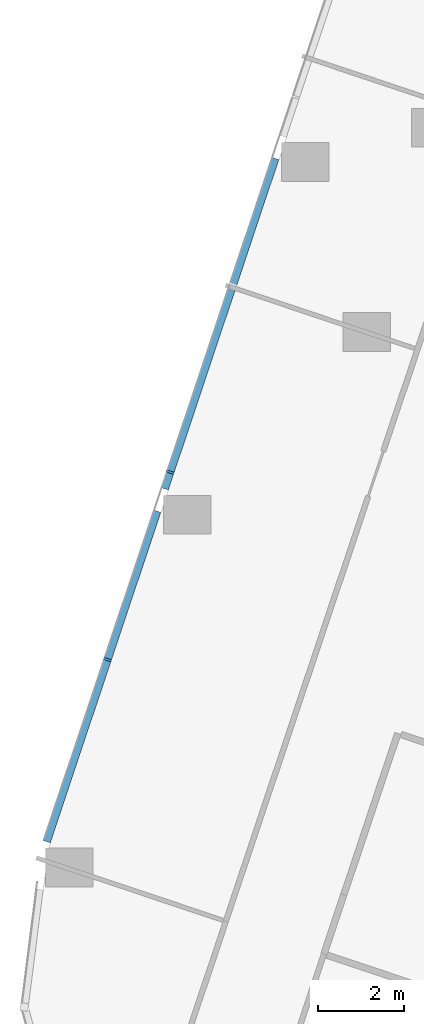
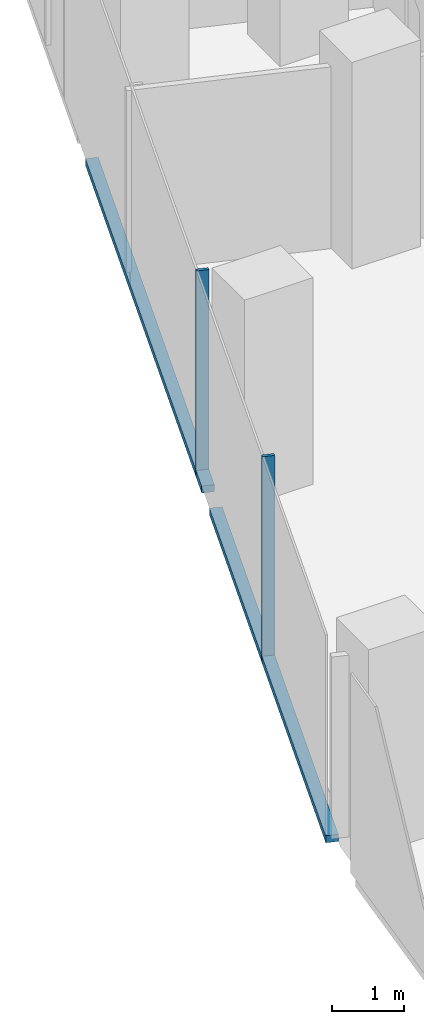
# One storey, part 4 of 32: 4 members, 1 element without a shape of its own.
"""IFC4 building model written with IfcOpenShell, lengths in metres."""

from ifc_helpers import new_model, si_unit, direction, frame, origin, origin_2d, place, context, subcontext, project, spatial, rectangle, extrude, material, material_profile, profile_set, type_object, element, aggregate, save


model = new_model("IFC4")

# Units and contexts
model_context = context("Model", 3, precision=1e-05, world=origin(), true_north=direction((0.0, 1.0)))
body_context = subcontext(model_context, "Body", "Model", "MODEL_VIEW")
ifc_project = project(units=[si_unit("LENGTHUNIT", "METRE"), si_unit("AREAUNIT", "SQUARE_METRE"), si_unit("VOLUMEUNIT", "CUBIC_METRE"), si_unit("PLANEANGLEUNIT", "RADIAN"), si_unit("MASSUNIT", "GRAM", prefix="KILO")], contexts=[model_context])

# Site, building, storey
site_placement = place(None, origin())
site = spatial("IfcSite", under=ifc_project, at=site_placement, CompositionType="ELEMENT")
building_placement = place(site_placement, origin())
building = spatial("IfcBuilding", under=site, at=building_placement, Name="Orlundy Tower", CompositionType="ELEMENT")
storey_placement = place(building_placement, frame((0.0, 0.0, 149.10009765625)))
storey = spatial("IfcBuildingStorey", under=building, at=storey_placement, Name="L38", CompositionType="ELEMENT", Elevation=149.10009765625)

# Curtain wall, members
ifc_material_1 = material(Name="Aluminium bronze anodised", Category="aluminium")
curtain_wall_type = type_object("IfcCurtainWallType", Name="CW1 wall", PredefinedType="NOTDEFINED", material=ifc_material_1)
curtain_wall_placement = place(storey_placement, origin())
curtain_wall = element("IfcCurtainWall", 1, at=curtain_wall_placement, inside=storey, type_object=curtain_wall_type, Name="CW1 run 012", PredefinedType="NOTDEFINED")
ifc_material_2 = material(Name="Aluminium bronze anodised", Category="aluminium")
ifc_material_profile_1 = material_profile(ifc_material_2, rectangle(XDim=0.179931640625, YDim=0.050048828125, at=origin_2d()), Name="CW1 mullion 50x180")
ifc_profile_set_1 = profile_set([ifc_material_profile_1], Name="Aluminium bronze anodised")
member_type_1 = type_object("IfcMemberType", Name="CW1 mullion 50x180", PredefinedType="MULLION", material=ifc_profile_set_1)
member_1_placement = place(storey_placement, frame((-33.46142578125, -36.689697265625, -0.400146484375), z_axis=(0.0, 0.0, 1.0), x_axis=(-0.948326756752, 0.317295386712, 0.0)))
member_1 = element("IfcMember", 2, at=member_1_placement, type_object=member_type_1, Name="CW1 mullion 27", PredefinedType="MULLION", context=body_context, shape_type="SweptSolid", body=[
    extrude(rectangle(XDim=0.179931640625, YDim=0.050048828125, at=origin_2d()), origin(), (0.0, 0.0, 1.0), 3.5),
])
member_2_placement = place(storey_placement, frame((-32.00537109375, -32.338134765625, -0.400146484375), z_axis=(0.0, 0.0, 1.0), x_axis=(-0.948326756752, 0.317295386712, 0.0)))
member_2 = element("IfcMember", 3, at=member_2_placement, type_object=member_type_1, Name="CW1 mullion 28", PredefinedType="MULLION", context=body_context, shape_type="SweptSolid", body=[
    extrude(rectangle(XDim=0.179931640625, YDim=0.050048828125, at=origin_2d()), origin(), (0.0, 0.0, 1.0), 3.5),
])
ifc_material_3 = material(Name="Aluminium bronze anodised", Category="aluminium")
ifc_material_profile_2 = material_profile(ifc_material_3, rectangle(XDim=0.179931640625, YDim=0.1201171875, at=origin_2d()), Name="CW1 transom 180x120")
ifc_profile_set_2 = profile_set([ifc_material_profile_2], Name="Aluminium bronze anodised")
member_type_2 = type_object("IfcMemberType", Name="CW1 transom 180x120", PredefinedType="USERDEFINED", material=ifc_profile_set_2)
member_3_placement = place(storey_placement, frame((-34.875, -40.9150390625, -0.340087890625), z_axis=(0.317277721092, 0.94833266721, 0.0), x_axis=(-0.94833266721, 0.317277721092, 0.0)))
member_3 = element("IfcMember", 4, at=member_3_placement, type_object=member_type_2, Name="CW1 transom", ObjectType="TRANSOM", PredefinedType="USERDEFINED", context=body_context, shape_type="SweptSolid", body=[
    extrude(rectangle(XDim=0.179931640625, YDim=0.1201171875, at=origin_2d()), origin(), (0.0, 0.0, 1.0), 8.09033203125),
])
member_4_placement = place(storey_placement, frame((-32.135009765625, -32.72607421875, -0.340087890625), z_axis=(0.317269039008, 0.948335571877, 0.0), x_axis=(-0.948335571877, 0.317269039008, 0.0)))
member_4 = element("IfcMember", 5, at=member_4_placement, type_object=member_type_2, Name="CW1 transom", ObjectType="TRANSOM", PredefinedType="USERDEFINED", context=body_context, shape_type="SweptSolid", body=[
    extrude(rectangle(XDim=0.179931640625, YDim=0.1201171875, at=origin_2d()), origin(), (0.0, 0.0, 1.0), 8.08740234375),
])
aggregate(curtain_wall, [member_1, member_2, member_3, member_4])

save(model, "model.ifc")
